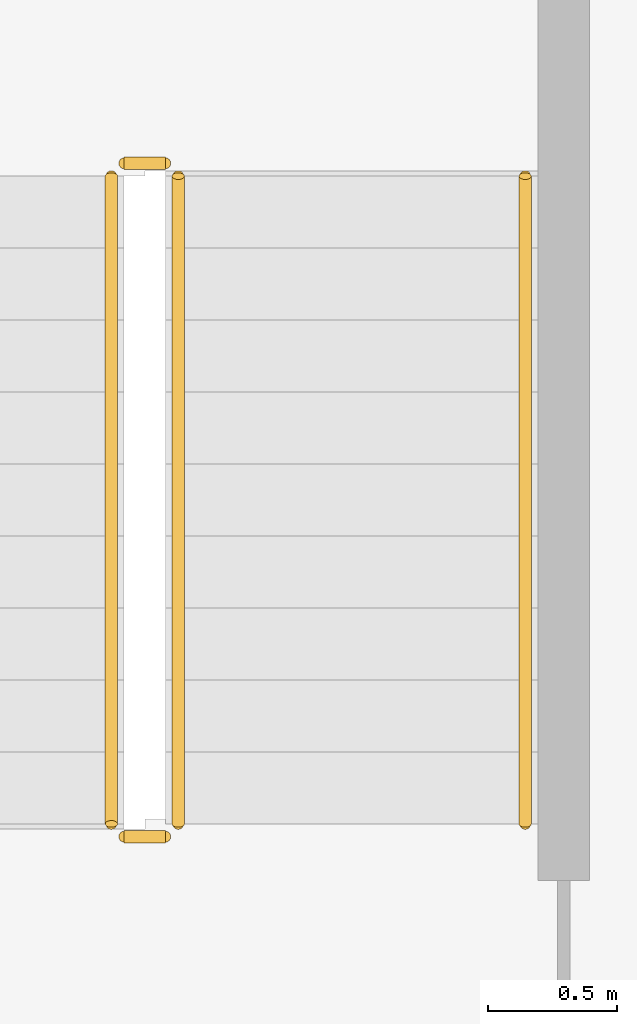
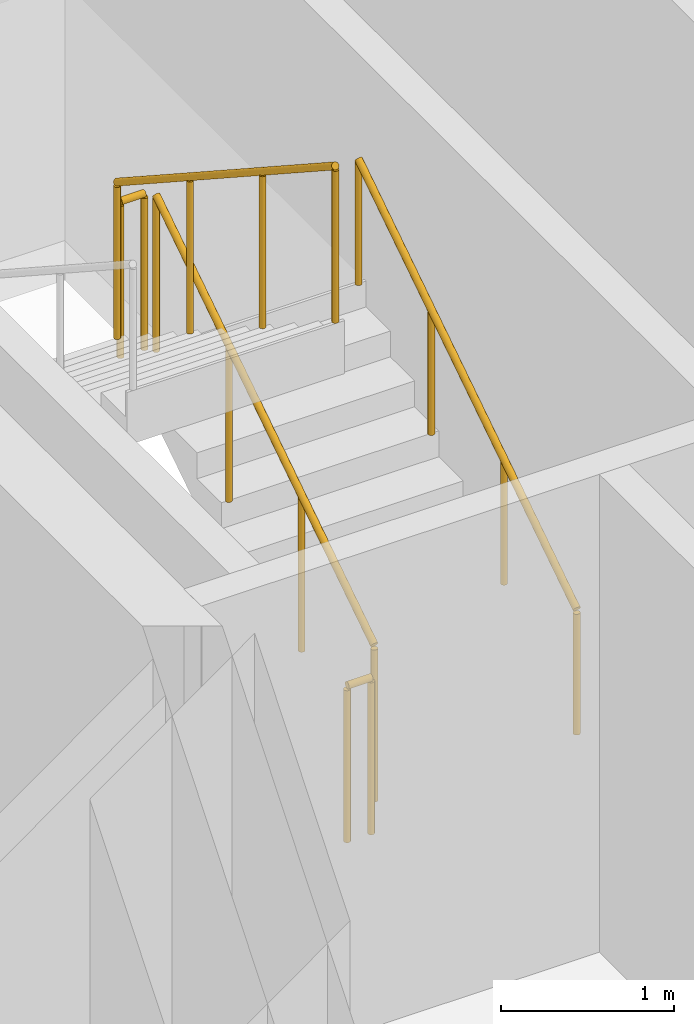
# One storey, part 12 of 14: 5 railings.
"""IFC4 building model written with IfcOpenShell, lengths in metres."""

from ifc_helpers import new_model, si_unit, direction, frame, origin, origin_2d, place, context, subcontext, project, spatial, circle, extrude, material, type_object, element, save


model = new_model("IFC4")

# Units and contexts
model_context = context("Model", 3, precision=1e-05, world=origin(), true_north=direction((0.0, 1.0)))
body_context = subcontext(model_context, "Body", "Model", "MODEL_VIEW")
ifc_project = project(units=[si_unit("LENGTHUNIT", "METRE"), si_unit("AREAUNIT", "SQUARE_METRE"), si_unit("VOLUMEUNIT", "CUBIC_METRE"), si_unit("PLANEANGLEUNIT", "RADIAN"), si_unit("MASSUNIT", "GRAM", prefix="KILO")], contexts=[model_context])

# Site, building, storey
site_placement = place(None, origin())
site = spatial("IfcSite", under=ifc_project, at=site_placement, CompositionType="ELEMENT")
building_placement = place(site_placement, origin())
building = spatial("IfcBuilding", under=site, at=building_placement, Name="Nuvemarco Arch Tower", CompositionType="ELEMENT")
storey_placement = place(building_placement, frame((0.0, 0.0, 105.60009765625)))
storey = spatial("IfcBuildingStorey", under=building, at=storey_placement, Name="L27", CompositionType="ELEMENT", Elevation=105.60009765625)

# Railings
ifc_material_1 = material(Name="Brushed stainless steel handrail", Category="steel")
railing_type_1 = type_object("IfcRailingType", Name="RL-HANDRAIL-900", PredefinedType="HANDRAIL", material=ifc_material_1)
railing_1_placement = place(storey_placement, frame((-13.590087890625, 2.64990234375, 0.182373046875)))
element("IfcRailing", 1, at=railing_1_placement, inside=storey, type_object=railing_type_1, Name="L27 ST-1 stair handrail 1", PredefinedType="HANDRAIL", context=body_context, shape_type="SweptSolid", body=[
    extrude(circle(Radius=0.02392578125, at=origin_2d()), frame((0.0, 0.0, 0.8759765625), z_axis=(0.0, 0.837749427056, 0.546054848405), x_axis=(-1.0, 0.0, 0.0)), (0.0, 0.0, 1.0), 3.008056640625),
    extrude(circle(Radius=0.02099609375, at=origin_2d()), origin(), (0.0, 0.0, 1.0), 0.851806640625),
    extrude(circle(Radius=0.02099609375, at=origin_2d()), frame((0.0, 0.840087890625, 0.547607421875)), (0.0, 0.0, 1.0), 0.851806640625),
    extrude(circle(Radius=0.02099609375, at=origin_2d()), frame((0.0, 1.679931640625, 1.094970703125)), (0.0, 0.0, 1.0), 0.851806640625),
    extrude(circle(Radius=0.02099609375, at=origin_2d()), frame((0.0, 2.52001953125, 1.642578125)), (0.0, 0.0, 1.0), 0.851806640625),
])
ifc_material_2 = material(Name="Painted balustrade steel S355", Category="steel")
railing_type_2 = type_object("IfcRailingType", Name="RL-STAIR-GUARD", PredefinedType="GUARDRAIL", material=ifc_material_2)
railing_2_placement = place(storey_placement, frame((-14.93994140625, 2.64990234375, 0.182373046875)))
element("IfcRailing", 2, at=railing_2_placement, inside=storey, type_object=railing_type_2, Name="L27 ST-1 stair guard 1", PredefinedType="GUARDRAIL", context=body_context, shape_type="SweptSolid", body=[
    extrude(circle(Radius=0.02392578125, at=origin_2d()), frame((0.0, 0.0, 1.09619140625), z_axis=(0.0, 0.837749427056, 0.546054848405), x_axis=(-1.0, 0.0, 0.0)), (0.0, 0.0, 1.0), 3.008056640625),
    extrude(circle(Radius=0.02099609375, at=origin_2d()), origin(), (0.0, 0.0, 1.0), 1.072021484375),
    extrude(circle(Radius=0.02099609375, at=origin_2d()), frame((0.0, 0.840087890625, 0.547607421875)), (0.0, 0.0, 1.0), 1.072021484375),
    extrude(circle(Radius=0.02099609375, at=origin_2d()), frame((0.0, 1.679931640625, 1.094970703125)), (0.0, 0.0, 1.0), 1.072021484375),
    extrude(circle(Radius=0.02099609375, at=origin_2d()), frame((0.0, 2.52001953125, 1.642578125)), (0.0, 0.0, 1.0), 1.072021484375),
])
railing_3_placement = place(storey_placement, frame((-14.989990234375, 5.219970703125, 1.824951171875)))
element("IfcRailing", 3, at=railing_3_placement, inside=storey, type_object=railing_type_2, Name="L27 ST-1 stair guard 2", PredefinedType="GUARDRAIL", context=body_context, shape_type="SweptSolid", body=[
    extrude(circle(Radius=0.02392578125, at=origin_2d()), frame((0.0, 0.0, 1.09619140625), z_axis=(-1.0, 0.0, 0.0), x_axis=(0.0, -1.0, 0.0)), (0.0, 0.0, 1.0), 0.159912109375),
    extrude(circle(Radius=0.02099609375, at=origin_2d()), origin(), (0.0, 0.0, 1.0), 1.072021484375),
    extrude(circle(Radius=0.02099609375, at=origin_2d()), frame((-0.159912109375, 0.0, 0.0)), (0.0, 0.0, 1.0), 1.072021484375),
])
railing_4_placement = place(storey_placement, frame((-15.199951171875, 5.169921875, 2.00732421875)))
element("IfcRailing", 4, at=railing_4_placement, inside=storey, type_object=railing_type_2, Name="L27 ST-1 stair guard 3", PredefinedType="GUARDRAIL", context=body_context, shape_type="SweptSolid", body=[
    extrude(circle(Radius=0.02392578125, at=origin_2d()), frame((0.0, 0.0, 1.09619140625), z_axis=(0.0, -0.837749427056, 0.546054848405), x_axis=(1.0, 0.0, 0.0)), (0.0, 0.0, 1.0), 3.008056640625),
    extrude(circle(Radius=0.02099609375, at=origin_2d()), origin(), (0.0, 0.0, 1.0), 1.072021484375),
    extrude(circle(Radius=0.02099609375, at=origin_2d()), frame((0.0, -0.840087890625, 0.547607421875)), (0.0, 0.0, 1.0), 1.072021484375),
    extrude(circle(Radius=0.02099609375, at=origin_2d()), frame((0.0, -1.679931640625, 1.094970703125)), (0.0, 0.0, 1.0), 1.072021484375),
    extrude(circle(Radius=0.02099609375, at=origin_2d()), frame((0.0, -2.52001953125, 1.642578125)), (0.0, 0.0, 1.0), 1.072021484375),
])
railing_5_placement = place(storey_placement, frame((-14.989990234375, 2.60009765625, 0.0)))
element("IfcRailing", 5, at=railing_5_placement, inside=storey, type_object=railing_type_2, Name="L27 ST-1 stair guard 4", PredefinedType="GUARDRAIL", context=body_context, shape_type="SweptSolid", body=[
    extrude(circle(Radius=0.02392578125, at=origin_2d()), frame((0.0, 0.0, 1.09619140625), z_axis=(-1.0, 0.0, 0.0), x_axis=(0.0, -1.0, 0.0)), (0.0, 0.0, 1.0), 0.159912109375),
    extrude(circle(Radius=0.02099609375, at=origin_2d()), origin(), (0.0, 0.0, 1.0), 1.072021484375),
    extrude(circle(Radius=0.02099609375, at=origin_2d()), frame((-0.159912109375, 0.0, 0.0)), (0.0, 0.0, 1.0), 1.072021484375),
])

save(model, "model.ifc")
